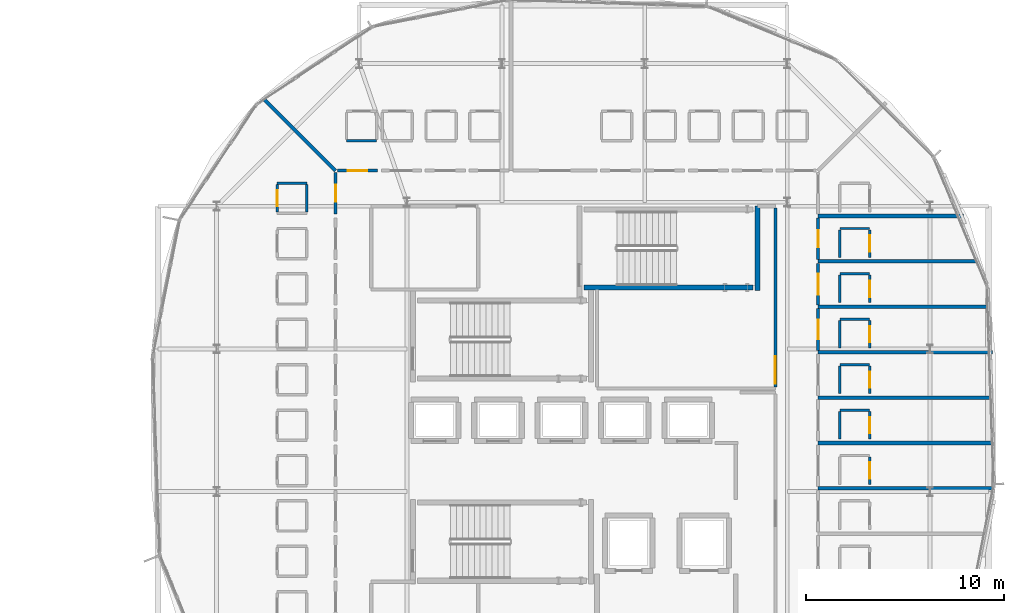
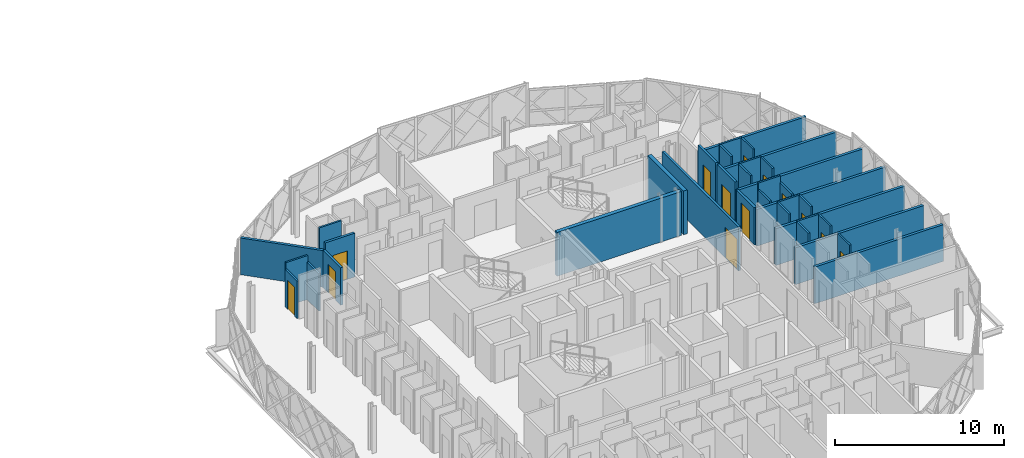
# One storey, part 18 of 25: 36 walls, 13 doors, 13 openings.
"""IFC4 building model written with IfcOpenShell, lengths in metres."""

import ifcopenshell
import ifcopenshell.guid

model = None  # the IFC model being written
_history = None  # IfcOwnerHistory: only IFC2X3 demands one
_inside = {}  # id of a spatial element -> (the spatial element, [elements in it])
_under = {}  # id of a project, library or spatial element -> (it, [spatial elements below it])
_declared = {}  # id of a project -> (the project, [libraries it declares])
_typed = {}  # id of a type object -> (the type object, [elements of that type])
_made_of = {}  # id of a material, layer set ... -> (it, [elements and type objects made of it])


def new_model(schema):
    """Start an empty IFC model of exactly this schema.

    Asked for "IFC4X3", IfcOpenShell would pick the latest addendum, in which some entities
    have other attributes; the version numbers below select the first issue.
    IFC2X3 requires an IfcOwnerHistory on every rooted entity: one is made here for all.
    """
    global model, _history
    if schema == "IFC4X3":
        model = ifcopenshell.file(schema_version=(4, 3, 0, 0))
    else:
        model = ifcopenshell.file(schema=schema)
    _inside.clear()
    _under.clear()
    _declared.clear()
    _typed.clear()
    _made_of.clear()
    _history = None
    if model.schema == "IFC2X3":
        org = make("IfcOrganization", Name="unknown")
        user = make(
            "IfcPersonAndOrganization",
            ThePerson=make("IfcPerson", FamilyName="unknown"),
            TheOrganization=org,
        )
        app = make(
            "IfcApplication",
            ApplicationDeveloper=org,
            Version="unknown",
            ApplicationFullName="unknown",
            ApplicationIdentifier="unknown",
        )
        _history = make(
            "IfcOwnerHistory",
            OwningUser=user,
            OwningApplication=app,
            ChangeAction="ADDED",
            CreationDate=0,
        )
    return model


def make(cls, **values):
    """One entity of the class cls with the attributes given. An attribute that is None is left unset."""
    return model.create_entity(
        cls, **{name: value for name, value in values.items() if value is not None}
    )


def rooted(cls, **values):
    """An entity with a GlobalId (a new one), such as an element, a storey or a relation."""
    return make(cls, GlobalId=ifcopenshell.guid.new(), OwnerHistory=_history, **values)


def si_unit(unit_type, name, prefix=None):
    """IfcSIUnit, for example si_unit("LENGTHUNIT", "METRE", prefix="MILLI")."""
    return make("IfcSIUnit", UnitType=unit_type, Prefix=prefix, Name=name)


def assignment(units):
    """IfcUnitAssignment: the units of a project."""
    return None if units is None else make("IfcUnitAssignment", Units=units)


def point(xyz):
    """IfcCartesianPoint."""
    return None if xyz is None else make("IfcCartesianPoint", Coordinates=xyz)


def direction(xyz):
    """IfcDirection."""
    return None if xyz is None else make("IfcDirection", DirectionRatios=xyz)


def frame(location, z_axis=None, x_axis=None):
    """IfcAxis2Placement3D, a coordinate frame: its origin and axes. An axis left out is left unset."""
    return make(
        "IfcAxis2Placement3D",
        Location=point(location),
        Axis=direction(z_axis),
        RefDirection=direction(x_axis),
    )


def frame_2d(location, x_axis=None):
    """IfcAxis2Placement2D, a coordinate frame in the plane: its origin and x axis."""
    return make(
        "IfcAxis2Placement2D", Location=point(location), RefDirection=direction(x_axis)
    )


def origin():
    """The frame at (0, 0, 0) with its axes left unset."""
    return frame((0.0, 0.0, 0.0))


def place(relative_to, where):
    """IfcLocalPlacement: puts the frame where relative to a parent placement (None: the world)."""
    return make(
        "IfcLocalPlacement", PlacementRelTo=relative_to, RelativePlacement=where
    )


def context(
    kind, dimensions, precision=None, world=None, true_north=None, identifier=None
):
    """IfcGeometricRepresentationContext, for example the 3D "Model" context."""
    return make(
        "IfcGeometricRepresentationContext",
        ContextIdentifier=identifier,
        ContextType=kind,
        CoordinateSpaceDimension=dimensions,
        Precision=precision,
        WorldCoordinateSystem=world,
        TrueNorth=true_north,
    )


def subcontext(parent, identifier, kind, view, scale=None):
    """IfcGeometricRepresentationSubContext, for example "Body" below "Model"."""
    return make(
        "IfcGeometricRepresentationSubContext",
        ContextIdentifier=identifier,
        ContextType=kind,
        ParentContext=parent,
        TargetScale=scale,
        TargetView=view,
    )


def project(units=None, contexts=None):
    """IfcProject with its units and contexts."""
    return rooted(
        "IfcProject",
        Name="project",
        RepresentationContexts=contexts,
        UnitsInContext=assignment(units),
    )


def spatial(cls, under=None, at=None, **own):
    """A site, building, storey or space (cls), placed at a placement, below another one or the project."""
    s = rooted(cls, ObjectPlacement=at, **own)
    if under is not None:
        _under.setdefault(under.id(), (under, []))[1].append(s)
    return s


def profile(cls, at=None, kind="AREA", **sizes):
    """A parametric profile (cls). Its sizes go by their IFC names, for example OverallWidth=200.0."""
    return make(cls, ProfileType=kind, Position=at, **sizes)


def rectangle(**sizes):
    """IfcRectangleProfileDef."""
    return profile("IfcRectangleProfileDef", **sizes)


def extrude(swept, where, along, depth):
    """IfcExtrudedAreaSolid: the profile swept, set in the frame where, extruded along a direction by depth."""
    return make(
        "IfcExtrudedAreaSolid",
        SweptArea=swept,
        Position=where,
        ExtrudedDirection=direction(along),
        Depth=depth,
    )


def shape(context_of_items, identifier, shape_type, items):
    """IfcShapeRepresentation: the items that make up one representation, for example the "Body"."""
    return make(
        "IfcShapeRepresentation",
        ContextOfItems=context_of_items,
        RepresentationIdentifier=identifier,
        RepresentationType=shape_type,
        Items=items,
    )


def material(Name=None, Category=None):
    """IfcMaterial."""
    return make("IfcMaterial", Name=Name, Category=Category)


def layer(
    of_material, thickness, ventilated=None, Name=None, Category=None, Priority=None
):
    """IfcMaterialLayer: one layer of a wall or slab, of a material (None: an air gap)."""
    return make(
        "IfcMaterialLayer",
        Material=of_material,
        LayerThickness=thickness,
        IsVentilated=ventilated,
        Name=Name,
        Category=Category,
        Priority=Priority,
    )


def layer_set(layers, Name=None):
    """IfcMaterialLayerSet."""
    return make("IfcMaterialLayerSet", MaterialLayers=layers, LayerSetName=Name)


def made_of(thing, what):
    """Note that an element or type object is made of a material, layer set ...; save() writes the relation."""
    if what is not None:
        _made_of.setdefault(what.id(), (what, []))[1].append(thing)
    return thing


def type_object(cls, material=None, **own):
    """A type object (cls), such as IfcWallType, which elements share."""
    return made_of(rooted(cls, **own), material)


def element(
    cls,
    number,
    at=None,
    inside=None,
    cuts=None,
    type_object=None,
    material=None,
    context=None,
    identifier="Body",
    shape_type=None,
    held_by="IfcProductDefinitionShape",
    body=None,
    shapes=None,
    **own,
):
    """One element of the class cls, such as IfcWall. Its Tag is "e" and its number.

    at: its placement. inside: the storey or other place that contains it. cuts: it is an
    opening in that element (IfcRelVoidsElement). A single representation is given by context,
    identifier, shape_type and body (its items); several are given by shapes. held_by: the class
    of the entity that holds the representations. save() writes the other relations.
    """
    e = rooted(cls, Tag="e%d" % number, ObjectPlacement=at, **own)
    if body is not None:
        shapes = [shape(context, identifier, shape_type, body)]
    if shapes is not None:
        e.Representation = make(held_by, Representations=shapes)
    if inside is not None:
        _inside.setdefault(inside.id(), (inside, []))[1].append(e)
    if cuts is not None:
        rooted(
            "IfcRelVoidsElement", RelatingBuildingElement=cuts, RelatedOpeningElement=e
        )
    if type_object is not None:
        _typed.setdefault(type_object.id(), (type_object, []))[1].append(e)
    return made_of(e, material)


def fill(opening, filler):
    """IfcRelFillsElement: the door or window that sits in an opening."""
    return rooted(
        "IfcRelFillsElement",
        RelatingOpeningElement=opening,
        RelatedBuildingElement=filler,
    )


def aggregate(whole, parts):
    """IfcRelAggregates: a whole, such as a stair, and the parts it consists of."""
    return rooted("IfcRelAggregates", RelatingObject=whole, RelatedObjects=parts)


def save(model, path):
    """Write the relations noted so far, then the file.

    IfcRelAggregates (storeys below a building ...), IfcRelContainedInSpatialStructure (elements
    in a storey), IfcRelDefinesByType, IfcRelAssociatesMaterial and IfcRelDeclares: one each for
    every whole, place, type object, material and project.
    """
    for whole, parts in _under.values():
        aggregate(whole, parts)
    for where, things in _inside.values():
        rooted(
            "IfcRelContainedInSpatialStructure",
            RelatedElements=things,
            RelatingStructure=where,
        )
    for kind, things in _typed.values():
        rooted("IfcRelDefinesByType", RelatedObjects=things, RelatingType=kind)
    for what, things in _made_of.values():
        rooted("IfcRelAssociatesMaterial", RelatedObjects=things, RelatingMaterial=what)
    for by, libraries in _declared.values():
        rooted("IfcRelDeclares", RelatingContext=by, RelatedDefinitions=libraries)
    model.write(path)


model = new_model("IFC4")

# Units and contexts
model_context = context("Model", 3, precision=1e-05, world=origin(), true_north=direction((0.0, 1.0)))
body_context = subcontext(model_context, "Body", "Model", "MODEL_VIEW")
ifc_project = project(units=[si_unit("LENGTHUNIT", "METRE"), si_unit("AREAUNIT", "SQUARE_METRE"), si_unit("VOLUMEUNIT", "CUBIC_METRE"), si_unit("PLANEANGLEUNIT", "RADIAN"), si_unit("MASSUNIT", "GRAM", prefix="KILO")], contexts=[model_context])

# Site, building, storey
site_placement = place(None, origin())
site = spatial("IfcSite", under=ifc_project, at=site_placement, CompositionType="ELEMENT")
building_placement = place(site_placement, origin())
building = spatial("IfcBuilding", under=site, at=building_placement, Name="Zevrakil Square Congress Hotel", CompositionType="ELEMENT")
storey_placement = place(building_placement, frame((0.0, 0.0, 28.300048828125)))
storey = spatial("IfcBuildingStorey", under=building, at=storey_placement, Name="L08", CompositionType="ELEMENT", Elevation=28.300048828125)

# Wall, opening, door
ifc_material_1 = material(Name="Gypsum Acoustic Stud Partition")
ifc_layer_1 = layer(ifc_material_1, 0.159912109375)
ifc_layer_set_1 = layer_set([ifc_layer_1], Name="Gypsum Acoustic Stud Partition")
wall_type_1 = type_object("IfcWallType", Name="WAL-CORR-160", PredefinedType="PARTITIONING", material=ifc_layer_set_1)
wall_1_placement = place(storey_placement, frame((155.39990234375, 29.284912109375, 0.0), z_axis=(0.0, 0.0, 1.0), x_axis=(0.0, 1.0, 0.0)))
wall_1 = element("IfcWall", 1, at=wall_1_placement, inside=storey, type_object=wall_type_1, Name="L08 interior partition PW-L08-1126", PredefinedType="PARTITIONING", context=body_context, shape_type="SweptSolid", body=[
    extrude(rectangle(XDim=9.030029296875, YDim=0.159912109375, at=frame_2d((4.51513671875, 0.0))), origin(), (0.0, 0.0, 1.0), 3.175048828125),
])
opening_1_placement = place(wall_1_placement, frame((0.159912109375, 0.0, 0.0)))
opening_1 = element("IfcOpeningElement", 2, at=opening_1_placement, cuts=wall_1, Name="Opening ID-09", PredefinedType="OPENING", context=body_context, shape_type="SweptSolid", body=[
    extrude(rectangle(XDim=1.39990234375, YDim=2.199951171875, at=frame_2d((0.699951171875, 1.10009765625))), frame((0.0, 0.08984375, 0.0), z_axis=(0.0, -1.0, 0.0), x_axis=(1.0, 0.0, 0.0)), (0.0, 0.0, 1.0), 0.179931640625),
])
ifc_material_2 = material(Name="Steel S355 Louvred Plant Fire Door", Category="steel")
door_type_1 = type_object("IfcDoorType", Name="DOR-PLANT-140", OperationType="NOTDEFINED", PredefinedType="DOOR", material=ifc_material_2)
door_1_placement = place(opening_1_placement, origin())
door_1 = element("IfcDoor", 3, at=door_1_placement, inside=storey, type_object=door_type_1, Name="L08 interior door 440", OperationType="SINGLE_SWING_RIGHT", OverallHeight=2.199951171875, OverallWidth=1.39990234375, PredefinedType="DOOR", context=body_context, shape_type="SweptSolid", body=[
    extrude(rectangle(XDim=1.39990234375, YDim=2.199951171875, at=frame_2d((0.699951171875, 1.10009765625))), frame((0.0, 0.02490234375, 0.0), z_axis=(0.0, -1.0, 0.0), x_axis=(1.0, 0.0, 0.0)), (0.0, 0.0, 1.0), 0.050048828125),
])
fill(opening_1, door_1)

wall_2_placement = place(storey_placement, frame((157.550048828125, 31.13134765625, 0.0), z_axis=(0.0, 0.0, 1.0), x_axis=(0.0, 1.0, 0.0)))
wall_2 = element("IfcWall", 4, at=wall_2_placement, inside=storey, type_object=wall_type_1, Name="L08 interior partition PW-L08-1226", PredefinedType="PARTITIONING", context=body_context, shape_type="SweptSolid", body=[
    extrude(rectangle(XDim=2.10107421875, YDim=0.159912109375, at=frame_2d((1.050537109375, 0.0))), origin(), (0.0, 0.0, 1.0), 2.7099609375),
])
opening_2_placement = place(wall_2_placement, frame((0.54638671875, 0.0, 0.0)))
opening_2 = element("IfcOpeningElement", 5, at=opening_2_placement, cuts=wall_2, Name="Opening ID-H14", PredefinedType="OPENING", context=body_context, shape_type="SweptSolid", body=[
    extrude(rectangle(XDim=1.008056640625, YDim=2.1298828125, at=frame_2d((0.50390625, 1.06494140625))), frame((0.0, 0.08984375, 0.0), z_axis=(0.0, -1.0, 0.0), x_axis=(1.0, 0.0, 0.0)), (0.0, 0.0, 1.0), 0.179931640625),
])
ifc_material_3 = material(Name="Acoustic Timber Fire Door", Category="wood")
door_type_2 = type_object("IfcDoorType", Name="DOR-INT-H14", OperationType="NOTDEFINED", PredefinedType="DOOR", material=ifc_material_3)
door_2_placement = place(opening_2_placement, origin())
door_2 = element("IfcDoor", 6, at=door_2_placement, inside=storey, type_object=door_type_2, Name="L08 interior door 479", OperationType="SINGLE_SWING_LEFT", OverallHeight=2.1298828125, OverallWidth=1.008056640625, PredefinedType="DOOR", context=body_context, shape_type="SweptSolid", body=[
    extrude(rectangle(XDim=1.008056640625, YDim=2.1298828125, at=frame_2d((0.50390625, 1.06494140625))), frame((0.0, 0.02490234375, 0.0), z_axis=(0.0, -1.0, 0.0), x_axis=(1.0, 0.0, 0.0)), (0.0, 0.0, 1.0), 0.050048828125),
])
fill(opening_2, door_2)

wall_3_placement = place(storey_placement, frame((157.550048828125, 33.42236328125, 0.0), z_axis=(0.0, 0.0, 1.0), x_axis=(0.0, 1.0, 0.0)))
wall_3 = element("IfcWall", 7, at=wall_3_placement, inside=storey, type_object=wall_type_1, Name="L08 interior partition PW-L08-1231", PredefinedType="PARTITIONING", context=body_context, shape_type="SweptSolid", body=[
    extrude(rectangle(XDim=2.100830078125, YDim=0.159912109375, at=frame_2d((1.05029296875, 0.0))), origin(), (0.0, 0.0, 1.0), 3.175048828125),
])
opening_3_placement = place(wall_3_placement, frame((0.52294921875, 0.0, 0.0)))
opening_3 = element("IfcOpeningElement", 8, at=opening_3_placement, cuts=wall_3, Name="Opening ID-G09", PredefinedType="OPENING", context=body_context, shape_type="SweptSolid", body=[
    extrude(rectangle(XDim=1.054931640625, YDim=2.050048828125, at=frame_2d((0.52734375, 1.02490234375))), frame((0.0, 0.08984375, 0.0), z_axis=(0.0, -1.0, 0.0), x_axis=(1.0, 0.0, 0.0)), (0.0, 0.0, 1.0), 0.179931640625),
])
ifc_material_4 = material(Name="Acoustic Timber Fire Door", Category="wood")
door_type_3 = type_object("IfcDoorType", Name="DOR-INT-G09", OperationType="NOTDEFINED", PredefinedType="DOOR", material=ifc_material_4)
door_3_placement = place(opening_3_placement, origin())
door_3 = element("IfcDoor", 9, at=door_3_placement, inside=storey, type_object=door_type_3, Name="L08 interior door 481", OperationType="SINGLE_SWING_LEFT", OverallHeight=2.050048828125, OverallWidth=1.054931640625, PredefinedType="DOOR", context=body_context, shape_type="SweptSolid", body=[
    extrude(rectangle(XDim=1.054931640625, YDim=2.050048828125, at=frame_2d((0.52734375, 1.02490234375))), frame((0.0, 0.02490234375, 0.0), z_axis=(0.0, -1.0, 0.0), x_axis=(1.0, 0.0, 0.0)), (0.0, 0.0, 1.0), 0.050048828125),
])
fill(opening_3, door_3)

wall_4_placement = place(storey_placement, frame((157.550048828125, 35.713134765625, 0.0), z_axis=(0.0, 0.0, 1.0), x_axis=(0.0, 1.0, 0.0)))
wall_4 = element("IfcWall", 10, at=wall_4_placement, inside=storey, type_object=wall_type_1, Name="L08 interior partition PW-L08-1236", PredefinedType="PARTITIONING", context=body_context, shape_type="SweptSolid", body=[
    extrude(rectangle(XDim=2.10107421875, YDim=0.159912109375, at=frame_2d((1.050537109375, 0.0))), origin(), (0.0, 0.0, 1.0), 3.175048828125),
])
opening_4_placement = place(wall_4_placement, frame((0.618408203125, 0.0, 0.0)))
opening_4 = element("IfcOpeningElement", 11, at=opening_4_placement, cuts=wall_4, Name="Opening ID-H02", PredefinedType="OPENING", context=body_context, shape_type="SweptSolid", body=[
    extrude(rectangle(XDim=0.864013671875, YDim=2.1298828125, at=frame_2d((0.43212890625, 1.06494140625))), frame((0.0, 0.08984375, 0.0), z_axis=(0.0, -1.0, 0.0), x_axis=(1.0, 0.0, 0.0)), (0.0, 0.0, 1.0), 0.179931640625),
])
ifc_material_5 = material(Name="Acoustic Timber Fire Door", Category="wood")
door_type_4 = type_object("IfcDoorType", Name="DOR-INT-H02", OperationType="NOTDEFINED", PredefinedType="DOOR", material=ifc_material_5)
door_4_placement = place(opening_4_placement, origin())
door_4 = element("IfcDoor", 12, at=door_4_placement, inside=storey, type_object=door_type_4, Name="L08 interior door 483", OperationType="SINGLE_SWING_LEFT", OverallHeight=2.1298828125, OverallWidth=0.864013671875, PredefinedType="DOOR", context=body_context, shape_type="SweptSolid", body=[
    extrude(rectangle(XDim=0.864013671875, YDim=2.1298828125, at=frame_2d((0.43212890625, 1.06494140625))), frame((0.0, 0.02490234375, 0.0), z_axis=(0.0, -1.0, 0.0), x_axis=(1.0, 0.0, 0.0)), (0.0, 0.0, 1.0), 0.050048828125),
])
fill(opening_4, door_4)

wall_5_placement = place(storey_placement, frame((133.294921875, 40.199951171875, 0.0), z_axis=(0.0, 0.0, 1.0), x_axis=(1.0, 0.0, 0.0)))
wall_5 = element("IfcWall", 13, at=wall_5_placement, inside=storey, type_object=wall_type_1, Name="L08 interior partition PW-L08-1287", PredefinedType="PARTITIONING", context=body_context, shape_type="SweptSolid", body=[
    extrude(rectangle(XDim=2.023681640625, YDim=0.159912109375, at=frame_2d((1.01171875, 0.0))), origin(), (0.0, 0.0, 1.0), 3.175048828125),
])
opening_5_placement = place(wall_5_placement, frame((0.519775390625, 0.0, 0.0)))
opening_5 = element("IfcOpeningElement", 14, at=opening_5_placement, cuts=wall_5, Name="Opening ID-H12", PredefinedType="OPENING", context=body_context, shape_type="SweptSolid", body=[
    extrude(rectangle(XDim=0.98388671875, YDim=2.070068359375, at=frame_2d((0.491943359375, 1.03515625))), frame((0.0, 0.08984375, 0.0), z_axis=(0.0, -1.0, 0.0), x_axis=(1.0, 0.0, 0.0)), (0.0, 0.0, 1.0), 0.179931640625),
])
ifc_material_6 = material(Name="Acoustic Timber Fire Door", Category="wood")
door_type_5 = type_object("IfcDoorType", Name="DOR-INT-H12", OperationType="NOTDEFINED", PredefinedType="DOOR", material=ifc_material_6)
door_5_placement = place(opening_5_placement, origin())
door_5 = element("IfcDoor", 15, at=door_5_placement, inside=storey, type_object=door_type_5, Name="L08 interior door 503", OperationType="SINGLE_SWING_LEFT", OverallHeight=2.070068359375, OverallWidth=0.98388671875, PredefinedType="DOOR", context=body_context, shape_type="SweptSolid", body=[
    extrude(rectangle(XDim=0.98388671875, YDim=2.070068359375, at=frame_2d((0.491943359375, 1.03515625))), frame((0.0, 0.02490234375, 0.0), z_axis=(0.0, -1.0, 0.0), x_axis=(1.0, 0.0, 0.0)), (0.0, 0.0, 1.0), 0.050048828125),
])
fill(opening_5, door_5)

wall_6_placement = place(storey_placement, frame((133.199951171875, 38.004150390625, 0.0), z_axis=(0.0, 0.0, 1.0), x_axis=(0.0, 1.0, 0.0)))
wall_6 = element("IfcWall", 16, at=wall_6_placement, inside=storey, type_object=wall_type_1, Name="L08 interior partition PW-L08-1293", PredefinedType="PARTITIONING", context=body_context, shape_type="SweptSolid", body=[
    extrude(rectangle(XDim=2.100830078125, YDim=0.159912109375, at=frame_2d((1.05029296875, 0.0))), origin(), (0.0, 0.0, 1.0), 2.7099609375),
])
opening_6_placement = place(wall_6_placement, frame((0.622802734375, 0.0, 0.0)))
opening_6 = element("IfcOpeningElement", 17, at=opening_6_placement, cuts=wall_6, Name="Opening ID-G01", PredefinedType="OPENING", context=body_context, shape_type="SweptSolid", body=[
    extrude(rectangle(XDim=0.85498046875, YDim=2.050048828125, at=frame_2d((0.427490234375, 1.02490234375))), frame((0.0, 0.08984375, 0.0), z_axis=(0.0, -1.0, 0.0), x_axis=(1.0, 0.0, 0.0)), (0.0, 0.0, 1.0), 0.179931640625),
])
ifc_material_7 = material(Name="Acoustic Timber Fire Door", Category="wood")
door_type_6 = type_object("IfcDoorType", Name="DOR-INT-G01", OperationType="NOTDEFINED", PredefinedType="DOOR", material=ifc_material_7)
door_6_placement = place(opening_6_placement, origin())
door_6 = element("IfcDoor", 18, at=door_6_placement, inside=storey, type_object=door_type_6, Name="L08 interior door 505", OperationType="SINGLE_SWING_LEFT", OverallHeight=2.050048828125, OverallWidth=0.85498046875, PredefinedType="DOOR", context=body_context, shape_type="SweptSolid", body=[
    extrude(rectangle(XDim=0.85498046875, YDim=2.050048828125, at=frame_2d((0.427490234375, 1.02490234375))), frame((0.0, 0.02490234375, 0.0), z_axis=(0.0, -1.0, 0.0), x_axis=(1.0, 0.0, 0.0)), (0.0, 0.0, 1.0), 0.050048828125),
])
fill(opening_6, door_6)

ifc_material_8 = material(Name="Moisture-Resistant Gypsum Partition")
ifc_layer_2 = layer(ifc_material_8, 0.1201171875)
ifc_layer_set_2 = layer_set([ifc_layer_2], Name="Moisture-Resistant Gypsum Partition")
wall_type_2 = type_object("IfcWallType", Name="WAL-ENS-120", PredefinedType="PARTITIONING", material=ifc_layer_set_2)
wall_7_placement = place(storey_placement, frame((160.14990234375, 24.36865234375, 0.0), z_axis=(0.0, 0.0, 1.0), x_axis=(0.0, 1.0, 0.0)))
wall_7 = element("IfcWall", 19, at=wall_7_placement, inside=storey, type_object=wall_type_2, Name="L08 interior partition PW-L08-1214", PredefinedType="PARTITIONING", context=body_context, shape_type="SweptSolid", body=[
    extrude(rectangle(XDim=1.389892578125, YDim=0.1201171875, at=frame_2d((0.69482421875, 0.0))), origin(), (0.0, 0.0, 1.0), 3.175048828125),
])
opening_7_placement = place(wall_7_placement, frame((0.284912109375, 0.0, 0.0)))
opening_7 = element("IfcOpeningElement", 20, at=opening_7_placement, cuts=wall_7, Name="Opening ID-11", PredefinedType="OPENING", context=body_context, shape_type="SweptSolid", body=[
    extrude(rectangle(XDim=0.820068359375, YDim=2.080078125, at=frame_2d((0.41015625, 1.0400390625))), frame((0.0, 0.070068359375, 0.0), z_axis=(0.0, -1.0, 0.0), x_axis=(1.0, 0.0, 0.0)), (0.0, 0.0, 1.0), 0.14013671875),
])
ifc_material_9 = material(Name="Acoustic Timber Door", Category="wood")
door_type_7 = type_object("IfcDoorType", Name="DOR-INT-V01", OperationType="NOTDEFINED", PredefinedType="DOOR", material=ifc_material_9)
door_7_placement = place(opening_7_placement, origin())
door_7 = element("IfcDoor", 21, at=door_7_placement, inside=storey, type_object=door_type_7, Name="L08 interior door 474", OperationType="SINGLE_SWING_RIGHT", OverallHeight=2.080078125, OverallWidth=0.820068359375, PredefinedType="DOOR", context=body_context, shape_type="SweptSolid", body=[
    extrude(rectangle(XDim=0.820068359375, YDim=2.080078125, at=frame_2d((0.41015625, 1.0400390625))), frame((0.0, 0.02490234375, 0.0), z_axis=(0.0, -1.0, 0.0), x_axis=(1.0, 0.0, 0.0)), (0.0, 0.0, 1.0), 0.050048828125),
])
fill(opening_7, door_7)

# Walls
wall_8_placement = place(storey_placement, frame((158.64990234375, 28.114501953125, 0.0), z_axis=(0.0, 0.0, 1.0), x_axis=(1.0, 0.0, 0.0)))
element("IfcWall", 22, at=wall_8_placement, inside=storey, type_object=wall_type_2, Name="L08 interior partition PW-L08-1217", PredefinedType="PARTITIONING", context=body_context, shape_type="SweptSolid", body=[
    extrude(rectangle(XDim=1.5, YDim=0.1201171875, at=frame_2d((0.75, 0.0))), origin(), (0.0, 0.0, 1.0), 3.175048828125),
])
wall_9_placement = place(storey_placement, frame((158.64990234375, 26.659423828125, 0.0), z_axis=(0.0, 0.0, 1.0), x_axis=(0.0, 1.0, 0.0)))
element("IfcWall", 23, at=wall_9_placement, inside=storey, type_object=wall_type_2, Name="L08 interior partition PW-L08-1218", PredefinedType="PARTITIONING", context=body_context, shape_type="SweptSolid", body=[
    extrude(rectangle(XDim=1.39013671875, YDim=0.1201171875, at=frame_2d((0.695068359375, 0.0))), origin(), (0.0, 0.0, 1.0), 3.175048828125),
])

# Wall, opening, door
wall_10_placement = place(storey_placement, frame((160.14990234375, 26.659423828125, 0.0), z_axis=(0.0, 0.0, 1.0), x_axis=(0.0, 1.0, 0.0)))
wall_10 = element("IfcWall", 24, at=wall_10_placement, inside=storey, type_object=wall_type_2, Name="L08 interior partition PW-L08-1219", PredefinedType="PARTITIONING", context=body_context, shape_type="SweptSolid", body=[
    extrude(rectangle(XDim=1.39013671875, YDim=0.1201171875, at=frame_2d((0.695068359375, 0.0))), origin(), (0.0, 0.0, 1.0), 3.175048828125),
])
opening_8_placement = place(wall_10_placement, frame((0.284912109375, 0.0, 0.0)))
opening_8 = element("IfcOpeningElement", 25, at=opening_8_placement, cuts=wall_10, Name="Opening ID-11", PredefinedType="OPENING", context=body_context, shape_type="SweptSolid", body=[
    extrude(rectangle(XDim=0.820068359375, YDim=2.080078125, at=frame_2d((0.41015625, 1.0400390625))), frame((0.0, 0.070068359375, 0.0), z_axis=(0.0, -1.0, 0.0), x_axis=(1.0, 0.0, 0.0)), (0.0, 0.0, 1.0), 0.14013671875),
])
door_8_placement = place(opening_8_placement, origin())
door_8 = element("IfcDoor", 26, at=door_8_placement, inside=storey, type_object=door_type_7, Name="L08 interior door 476", OperationType="SINGLE_SWING_RIGHT", OverallHeight=2.080078125, OverallWidth=0.820068359375, PredefinedType="DOOR", context=body_context, shape_type="SweptSolid", body=[
    extrude(rectangle(XDim=0.820068359375, YDim=2.080078125, at=frame_2d((0.41015625, 1.0400390625))), frame((0.0, 0.02490234375, 0.0), z_axis=(0.0, -1.0, 0.0), x_axis=(1.0, 0.0, 0.0)), (0.0, 0.0, 1.0), 0.050048828125),
])
fill(opening_8, door_8)

# Walls
wall_11_placement = place(storey_placement, frame((158.64990234375, 30.405517578125, 0.0), z_axis=(0.0, 0.0, 1.0), x_axis=(1.0, 0.0, 0.0)))
element("IfcWall", 27, at=wall_11_placement, inside=storey, type_object=wall_type_2, Name="L08 interior partition PW-L08-1222", PredefinedType="PARTITIONING", context=body_context, shape_type="SweptSolid", body=[
    extrude(rectangle(XDim=1.5, YDim=0.1201171875, at=frame_2d((0.75, 0.0))), origin(), (0.0, 0.0, 1.0), 3.175048828125),
])
wall_12_placement = place(storey_placement, frame((158.64990234375, 28.950439453125, 0.0), z_axis=(0.0, 0.0, 1.0), x_axis=(0.0, 1.0, 0.0)))
element("IfcWall", 28, at=wall_12_placement, inside=storey, type_object=wall_type_2, Name="L08 interior partition PW-L08-1223", PredefinedType="PARTITIONING", context=body_context, shape_type="SweptSolid", body=[
    extrude(rectangle(XDim=1.39013671875, YDim=0.1201171875, at=frame_2d((0.695068359375, 0.0))), origin(), (0.0, 0.0, 1.0), 3.175048828125),
])

# Wall, opening, door
wall_13_placement = place(storey_placement, frame((160.14990234375, 28.950439453125, 0.0), z_axis=(0.0, 0.0, 1.0), x_axis=(0.0, 1.0, 0.0)))
wall_13 = element("IfcWall", 29, at=wall_13_placement, inside=storey, type_object=wall_type_2, Name="L08 interior partition PW-L08-1224", PredefinedType="PARTITIONING", context=body_context, shape_type="SweptSolid", body=[
    extrude(rectangle(XDim=1.39013671875, YDim=0.1201171875, at=frame_2d((0.695068359375, 0.0))), origin(), (0.0, 0.0, 1.0), 3.175048828125),
])
opening_9_placement = place(wall_13_placement, frame((0.284912109375, 0.0, 0.0)))
opening_9 = element("IfcOpeningElement", 30, at=opening_9_placement, cuts=wall_13, Name="Opening ID-11", PredefinedType="OPENING", context=body_context, shape_type="SweptSolid", body=[
    extrude(rectangle(XDim=0.820068359375, YDim=2.080078125, at=frame_2d((0.41015625, 1.0400390625))), frame((0.0, 0.070068359375, 0.0), z_axis=(0.0, -1.0, 0.0), x_axis=(1.0, 0.0, 0.0)), (0.0, 0.0, 1.0), 0.14013671875),
])
door_9_placement = place(opening_9_placement, origin())
door_9 = element("IfcDoor", 31, at=door_9_placement, inside=storey, type_object=door_type_7, Name="L08 interior door 478", OperationType="SINGLE_SWING_RIGHT", OverallHeight=2.080078125, OverallWidth=0.820068359375, PredefinedType="DOOR", context=body_context, shape_type="SweptSolid", body=[
    extrude(rectangle(XDim=0.820068359375, YDim=2.080078125, at=frame_2d((0.41015625, 1.0400390625))), frame((0.0, 0.02490234375, 0.0), z_axis=(0.0, -1.0, 0.0), x_axis=(1.0, 0.0, 0.0)), (0.0, 0.0, 1.0), 0.050048828125),
])
fill(opening_9, door_9)

# Walls
wall_14_placement = place(storey_placement, frame((158.64990234375, 32.6962890625, 0.0), z_axis=(0.0, 0.0, 1.0), x_axis=(1.0, 0.0, 0.0)))
element("IfcWall", 32, at=wall_14_placement, inside=storey, type_object=wall_type_2, Name="L08 interior partition PW-L08-1227", PredefinedType="PARTITIONING", context=body_context, shape_type="SweptSolid", body=[
    extrude(rectangle(XDim=1.5, YDim=0.1201171875, at=frame_2d((0.75, 0.0))), origin(), (0.0, 0.0, 1.0), 3.175048828125),
])
wall_15_placement = place(storey_placement, frame((158.64990234375, 31.241455078125, 0.0), z_axis=(0.0, 0.0, 1.0), x_axis=(0.0, 1.0, 0.0)))
element("IfcWall", 33, at=wall_15_placement, inside=storey, type_object=wall_type_2, Name="L08 interior partition PW-L08-1228", PredefinedType="PARTITIONING", context=body_context, shape_type="SweptSolid", body=[
    extrude(rectangle(XDim=1.389892578125, YDim=0.1201171875, at=frame_2d((0.69482421875, 0.0))), origin(), (0.0, 0.0, 1.0), 2.7099609375),
])

# Wall, opening, door
wall_16_placement = place(storey_placement, frame((160.14990234375, 31.241455078125, 0.0), z_axis=(0.0, 0.0, 1.0), x_axis=(0.0, 1.0, 0.0)))
wall_16 = element("IfcWall", 34, at=wall_16_placement, inside=storey, type_object=wall_type_2, Name="L08 interior partition PW-L08-1229", PredefinedType="PARTITIONING", context=body_context, shape_type="SweptSolid", body=[
    extrude(rectangle(XDim=1.389892578125, YDim=0.1201171875, at=frame_2d((0.69482421875, 0.0))), origin(), (0.0, 0.0, 1.0), 2.7099609375),
])
opening_10_placement = place(wall_16_placement, frame((0.284912109375, 0.0, 0.0)))
opening_10 = element("IfcOpeningElement", 35, at=opening_10_placement, cuts=wall_16, Name="Opening ID-11", PredefinedType="OPENING", context=body_context, shape_type="SweptSolid", body=[
    extrude(rectangle(XDim=0.820068359375, YDim=2.080078125, at=frame_2d((0.41015625, 1.0400390625))), frame((0.0, 0.070068359375, 0.0), z_axis=(0.0, -1.0, 0.0), x_axis=(1.0, 0.0, 0.0)), (0.0, 0.0, 1.0), 0.14013671875),
])
door_10_placement = place(opening_10_placement, origin())
door_10 = element("IfcDoor", 36, at=door_10_placement, inside=storey, type_object=door_type_7, Name="L08 interior door 480", OperationType="SINGLE_SWING_RIGHT", OverallHeight=2.080078125, OverallWidth=0.820068359375, PredefinedType="DOOR", context=body_context, shape_type="SweptSolid", body=[
    extrude(rectangle(XDim=0.820068359375, YDim=2.080078125, at=frame_2d((0.41015625, 1.0400390625))), frame((0.0, 0.02490234375, 0.0), z_axis=(0.0, -1.0, 0.0), x_axis=(1.0, 0.0, 0.0)), (0.0, 0.0, 1.0), 0.050048828125),
])
fill(opening_10, door_10)

# Walls
wall_17_placement = place(storey_placement, frame((158.64990234375, 34.9873046875, 0.0), z_axis=(0.0, 0.0, 1.0), x_axis=(1.0, 0.0, 0.0)))
element("IfcWall", 37, at=wall_17_placement, inside=storey, type_object=wall_type_2, Name="L08 interior partition PW-L08-1232", PredefinedType="PARTITIONING", context=body_context, shape_type="SweptSolid", body=[
    extrude(rectangle(XDim=1.5, YDim=0.1201171875, at=frame_2d((0.75, 0.0))), origin(), (0.0, 0.0, 1.0), 3.175048828125),
])
wall_18_placement = place(storey_placement, frame((158.64990234375, 33.5322265625, 0.0), z_axis=(0.0, 0.0, 1.0), x_axis=(0.0, 1.0, 0.0)))
element("IfcWall", 38, at=wall_18_placement, inside=storey, type_object=wall_type_2, Name="L08 interior partition PW-L08-1233", PredefinedType="PARTITIONING", context=body_context, shape_type="SweptSolid", body=[
    extrude(rectangle(XDim=1.39013671875, YDim=0.1201171875, at=frame_2d((0.695068359375, 0.0))), origin(), (0.0, 0.0, 1.0), 3.175048828125),
])

# Wall, opening, door
wall_19_placement = place(storey_placement, frame((160.14990234375, 33.5322265625, 0.0), z_axis=(0.0, 0.0, 1.0), x_axis=(0.0, 1.0, 0.0)))
wall_19 = element("IfcWall", 39, at=wall_19_placement, inside=storey, type_object=wall_type_2, Name="L08 interior partition PW-L08-1234", PredefinedType="PARTITIONING", context=body_context, shape_type="SweptSolid", body=[
    extrude(rectangle(XDim=1.39013671875, YDim=0.1201171875, at=frame_2d((0.695068359375, 0.0))), origin(), (0.0, 0.0, 1.0), 3.175048828125),
])
opening_11_placement = place(wall_19_placement, frame((0.284912109375, 0.0, 0.0)))
opening_11 = element("IfcOpeningElement", 40, at=opening_11_placement, cuts=wall_19, Name="Opening ID-11", PredefinedType="OPENING", context=body_context, shape_type="SweptSolid", body=[
    extrude(rectangle(XDim=0.820068359375, YDim=2.080078125, at=frame_2d((0.41015625, 1.0400390625))), frame((0.0, 0.070068359375, 0.0), z_axis=(0.0, -1.0, 0.0), x_axis=(1.0, 0.0, 0.0)), (0.0, 0.0, 1.0), 0.14013671875),
])
door_11_placement = place(opening_11_placement, origin())
door_11 = element("IfcDoor", 41, at=door_11_placement, inside=storey, type_object=door_type_7, Name="L08 interior door 482", OperationType="SINGLE_SWING_RIGHT", OverallHeight=2.080078125, OverallWidth=0.820068359375, PredefinedType="DOOR", context=body_context, shape_type="SweptSolid", body=[
    extrude(rectangle(XDim=0.820068359375, YDim=2.080078125, at=frame_2d((0.41015625, 1.0400390625))), frame((0.0, 0.02490234375, 0.0), z_axis=(0.0, -1.0, 0.0), x_axis=(1.0, 0.0, 0.0)), (0.0, 0.0, 1.0), 0.050048828125),
])
fill(opening_11, door_11)

# Walls
wall_20_placement = place(storey_placement, frame((158.64990234375, 37.2783203125, 0.0), z_axis=(0.0, 0.0, 1.0), x_axis=(1.0, 0.0, 0.0)))
element("IfcWall", 42, at=wall_20_placement, inside=storey, type_object=wall_type_2, Name="L08 interior partition PW-L08-1237", PredefinedType="PARTITIONING", context=body_context, shape_type="SweptSolid", body=[
    extrude(rectangle(XDim=1.5, YDim=0.1201171875, at=frame_2d((0.75, 0.0))), origin(), (0.0, 0.0, 1.0), 3.175048828125),
])
wall_21_placement = place(storey_placement, frame((158.64990234375, 35.8232421875, 0.0), z_axis=(0.0, 0.0, 1.0), x_axis=(0.0, 1.0, 0.0)))
element("IfcWall", 43, at=wall_21_placement, inside=storey, type_object=wall_type_2, Name="L08 interior partition PW-L08-1238", PredefinedType="PARTITIONING", context=body_context, shape_type="SweptSolid", body=[
    extrude(rectangle(XDim=1.389892578125, YDim=0.1201171875, at=frame_2d((0.69482421875, 0.0))), origin(), (0.0, 0.0, 1.0), 3.175048828125),
])

# Wall, opening, door
wall_22_placement = place(storey_placement, frame((160.14990234375, 35.8232421875, 0.0), z_axis=(0.0, 0.0, 1.0), x_axis=(0.0, 1.0, 0.0)))
wall_22 = element("IfcWall", 44, at=wall_22_placement, inside=storey, type_object=wall_type_2, Name="L08 interior partition PW-L08-1239", PredefinedType="PARTITIONING", context=body_context, shape_type="SweptSolid", body=[
    extrude(rectangle(XDim=1.389892578125, YDim=0.1201171875, at=frame_2d((0.69482421875, 0.0))), origin(), (0.0, 0.0, 1.0), 3.175048828125),
])
opening_12_placement = place(wall_22_placement, frame((0.284912109375, 0.0, 0.0)))
opening_12 = element("IfcOpeningElement", 45, at=opening_12_placement, cuts=wall_22, Name="Opening ID-11", PredefinedType="OPENING", context=body_context, shape_type="SweptSolid", body=[
    extrude(rectangle(XDim=0.820068359375, YDim=2.080078125, at=frame_2d((0.41015625, 1.0400390625))), frame((0.0, 0.070068359375, 0.0), z_axis=(0.0, -1.0, 0.0), x_axis=(1.0, 0.0, 0.0)), (0.0, 0.0, 1.0), 0.14013671875),
])
door_12_placement = place(opening_12_placement, origin())
door_12 = element("IfcDoor", 46, at=door_12_placement, inside=storey, type_object=door_type_7, Name="L08 interior door 484", OperationType="SINGLE_SWING_RIGHT", OverallHeight=2.080078125, OverallWidth=0.820068359375, PredefinedType="DOOR", context=body_context, shape_type="SweptSolid", body=[
    extrude(rectangle(XDim=0.820068359375, YDim=2.080078125, at=frame_2d((0.41015625, 1.0400390625))), frame((0.0, 0.02490234375, 0.0), z_axis=(0.0, -1.0, 0.0), x_axis=(1.0, 0.0, 0.0)), (0.0, 0.0, 1.0), 0.050048828125),
])
fill(opening_12, door_12)

# Walls
wall_23_placement = place(storey_placement, frame((133.753662109375, 41.699951171875, 0.0), z_axis=(0.0, 0.0, 1.0), x_axis=(1.0, 0.0, 0.0)))
element("IfcWall", 47, at=wall_23_placement, inside=storey, type_object=wall_type_2, Name="L08 interior partition PW-L08-1288", PredefinedType="PARTITIONING", context=body_context, shape_type="SweptSolid", body=[
    extrude(rectangle(XDim=1.52001953125, YDim=0.1201171875, at=frame_2d((0.760009765625, 0.0))), origin(), (0.0, 0.0, 1.0), 3.175048828125),
])
wall_24_placement = place(storey_placement, frame((130.25, 39.569091796875, 0.0), z_axis=(0.0, 0.0, 1.0), x_axis=(1.0, 0.0, 0.0)))
element("IfcWall", 48, at=wall_24_placement, inside=storey, type_object=wall_type_2, Name="L08 interior partition PW-L08-1295", PredefinedType="PARTITIONING", context=body_context, shape_type="SweptSolid", body=[
    extrude(rectangle(XDim=1.5, YDim=0.1201171875, at=frame_2d((0.75, 0.0))), origin(), (0.0, 0.0, 1.0), 3.175048828125),
])

# Wall, opening, door
wall_25_placement = place(storey_placement, frame((130.25, 38.114013671875, 0.0), z_axis=(0.0, 0.0, 1.0), x_axis=(0.0, 1.0, 0.0)))
wall_25 = element("IfcWall", 49, at=wall_25_placement, inside=storey, type_object=wall_type_2, Name="L08 interior partition PW-L08-1296", PredefinedType="PARTITIONING", context=body_context, shape_type="SweptSolid", body=[
    extrude(rectangle(XDim=1.39013671875, YDim=0.1201171875, at=frame_2d((0.695068359375, 0.0))), origin(), (0.0, 0.0, 1.0), 2.7099609375),
])
opening_13_placement = place(wall_25_placement, frame((0.284912109375, 0.0, 0.0)))
opening_13 = element("IfcOpeningElement", 50, at=opening_13_placement, cuts=wall_25, Name="Opening ID-11", PredefinedType="OPENING", context=body_context, shape_type="SweptSolid", body=[
    extrude(rectangle(XDim=0.820068359375, YDim=2.080078125, at=frame_2d((0.41015625, 1.0400390625))), frame((0.0, 0.070068359375, 0.0), z_axis=(0.0, -1.0, 0.0), x_axis=(1.0, 0.0, 0.0)), (0.0, 0.0, 1.0), 0.14013671875),
])
door_13_placement = place(opening_13_placement, origin())
door_13 = element("IfcDoor", 51, at=door_13_placement, inside=storey, type_object=door_type_7, Name="L08 interior door 506", OperationType="SINGLE_SWING_RIGHT", OverallHeight=2.080078125, OverallWidth=0.820068359375, PredefinedType="DOOR", context=body_context, shape_type="SweptSolid", body=[
    extrude(rectangle(XDim=0.820068359375, YDim=2.080078125, at=frame_2d((0.41015625, 1.0400390625))), frame((0.0, 0.02490234375, 0.0), z_axis=(0.0, -1.0, 0.0), x_axis=(1.0, 0.0, 0.0)), (0.0, 0.0, 1.0), 0.050048828125),
])
fill(opening_13, door_13)

# Walls
wall_26_placement = place(storey_placement, frame((131.75, 38.114013671875, 0.0), z_axis=(0.0, 0.0, 1.0), x_axis=(0.0, 1.0, 0.0)))
element("IfcWall", 52, at=wall_26_placement, inside=storey, type_object=wall_type_2, Name="L08 interior partition PW-L08-1297", PredefinedType="PARTITIONING", context=body_context, shape_type="SweptSolid", body=[
    extrude(rectangle(XDim=1.39013671875, YDim=0.1201171875, at=frame_2d((0.695068359375, 0.0))), origin(), (0.0, 0.0, 1.0), 2.7099609375),
])
ifc_material_10 = material(Name="Gypsum Twin-Stud Party Partition")
ifc_layer_3 = layer(ifc_material_10, 0.179931640625)
ifc_layer_set_3 = layer_set([ifc_layer_3], Name="Gypsum Twin-Stud Party Partition")
wall_type_3 = type_object("IfcWallType", Name="WAL-PARTY-180", PredefinedType="PARTITIONING", material=ifc_layer_set_3)
wall_27_placement = place(storey_placement, frame((157.550048828125, 24.16357421875, 0.0), z_axis=(0.0, 0.0, 1.0), x_axis=(1.0, 0.0, 0.0)))
element("IfcWall", 53, at=wall_27_placement, inside=storey, type_object=wall_type_3, Name="L08 interior partition PW-L08-1210", PredefinedType="PARTITIONING", context=body_context, shape_type="SweptSolid", body=[
    extrude(rectangle(XDim=8.79443359375, YDim=0.179931640625, at=frame_2d((4.397216796875, 0.0))), origin(), (0.0, 0.0, 1.0), 2.659912109375),
])
for number, where, z_axis, x_axis, name in (
    (54, (157.550048828125, 26.45458984375, 0.0), (0.0, 0.0, 1.0), (1.0, 0.0, 0.0), "L08 interior partition PW-L08-1215"),
    (55, (157.550048828125, 28.74560546875, 0.0), (0.0, 0.0, 1.0), (1.0, 0.0, 0.0), "L08 interior partition PW-L08-1220"),
):
    element("IfcWall", number, at=place(storey_placement, frame(where, z_axis=z_axis, x_axis=x_axis)), inside=storey, type_object=wall_type_3, Name=name, PredefinedType="PARTITIONING", context=body_context, shape_type="SweptSolid", body=[
        extrude(rectangle(XDim=8.814453125, YDim=0.179931640625, at=frame_2d((4.4072265625, 0.0))), origin(), (0.0, 0.0, 1.0), 2.659912109375),
    ])
wall_28_placement = place(storey_placement, frame((157.550048828125, 31.036376953125, 0.0), z_axis=(0.0, 0.0, 1.0), x_axis=(1.0, 0.0, 0.0)))
element("IfcWall", 56, at=wall_28_placement, inside=storey, type_object=wall_type_3, Name="L08 interior partition PW-L08-1225", PredefinedType="PARTITIONING", context=body_context, shape_type="SweptSolid", body=[
    extrude(rectangle(XDim=8.79443359375, YDim=0.179931640625, at=frame_2d((4.397216796875, 0.0))), origin(), (0.0, 0.0, 1.0), 2.659912109375),
])
wall_29_placement = place(storey_placement, frame((157.550048828125, 33.327392578125, 0.0), z_axis=(0.0, 0.0, 1.0), x_axis=(1.0, 0.0, 0.0)))
element("IfcWall", 57, at=wall_29_placement, inside=storey, type_object=wall_type_3, Name="L08 interior partition PW-L08-1230", PredefinedType="PARTITIONING", context=body_context, shape_type="SweptSolid", body=[
    extrude(rectangle(XDim=8.56884765625, YDim=0.179931640625, at=frame_2d((4.284423828125, 0.0))), origin(), (0.0, 0.0, 1.0), 2.659912109375),
])
wall_30_placement = place(storey_placement, frame((157.550048828125, 35.6181640625, 0.0), z_axis=(0.0, 0.0, 1.0), x_axis=(1.0, 0.0, 0.0)))
element("IfcWall", 58, at=wall_30_placement, inside=storey, type_object=wall_type_3, Name="L08 interior partition PW-L08-1235", PredefinedType="PARTITIONING", context=body_context, shape_type="SweptSolid", body=[
    extrude(rectangle(XDim=8.079833984375, YDim=0.179931640625, at=frame_2d((4.0400390625, 0.0))), origin(), (0.0, 0.0, 1.0), 2.659912109375),
])
wall_31_placement = place(storey_placement, frame((157.550048828125, 37.9091796875, 0.0), z_axis=(0.0, 0.0, 1.0), x_axis=(1.0, 0.0, 0.0)))
element("IfcWall", 59, at=wall_31_placement, inside=storey, type_object=wall_type_3, Name="L08 interior partition PW-L08-1240", PredefinedType="PARTITIONING", context=body_context, shape_type="SweptSolid", body=[
    extrude(rectangle(XDim=7.335693359375, YDim=0.179931640625, at=frame_2d((3.66796875, 0.0))), origin(), (0.0, 0.0, 1.0), 2.659912109375),
])
wall_32_placement = place(storey_placement, frame((133.199951171875, 40.199951171875, 0.0), z_axis=(0.0, 0.0, 1.0), x_axis=(-0.707082692656, 0.707130868897, 0.0)))
element("IfcWall", 60, at=wall_32_placement, inside=storey, type_object=wall_type_3, Name="L08 interior partition PW-L08-1292", PredefinedType="PARTITIONING", context=body_context, shape_type="SweptSolid", body=[
    extrude(rectangle(XDim=5.067626953125, YDim=0.179931640625, at=frame_2d((2.53369140625, 0.0))), origin(), (0.0, 0.0, 1.0), 2.659912109375),
])
ifc_material_11 = material(Name="Concrete C40/50", Category="concrete")
ifc_layer_4 = layer(ifc_material_11, 0.260009765625)
ifc_layer_set_4 = layer_set([ifc_layer_4], Name="Concrete C40/50")
wall_type_4 = type_object("IfcWallType", Name="WAL-SHAFT-260", PredefinedType="SHEAR", material=ifc_layer_set_4)
wall_33_placement = place(storey_placement, frame((154.4951171875, 34.139892578125, 0.0), z_axis=(0.0, 0.0, 1.0), x_axis=(0.0, 1.0, 0.0)))
element("IfcWall", 61, at=wall_33_placement, inside=storey, type_object=wall_type_4, Name="L08 ST03 stair shaft E wall", PredefinedType="SHEAR", context=body_context, shape_type="SweptSolid", body=[
    extrude(rectangle(XDim=4.27001953125, YDim=0.260009765625, at=frame_2d((2.135009765625, 0.0))), origin(), (0.0, 0.0, 1.0), 3.175048828125),
])
wall_34_placement = place(storey_placement, frame((145.739990234375, 34.304931640625, 0.0), z_axis=(0.0, 0.0, 1.0), x_axis=(1.0, 0.0, 0.0)))
element("IfcWall", 62, at=wall_34_placement, inside=storey, type_object=wall_type_4, Name="L08 ST03 stair shaft S wall", PredefinedType="SHEAR", context=body_context, shape_type="SweptSolid", body=[
    extrude(rectangle(XDim=8.52001953125, YDim=0.260009765625, at=frame_2d((4.260009765625, 0.0))), origin(), (0.0, 0.0, 1.0), 3.175048828125),
])

save(model, "model.ifc")
